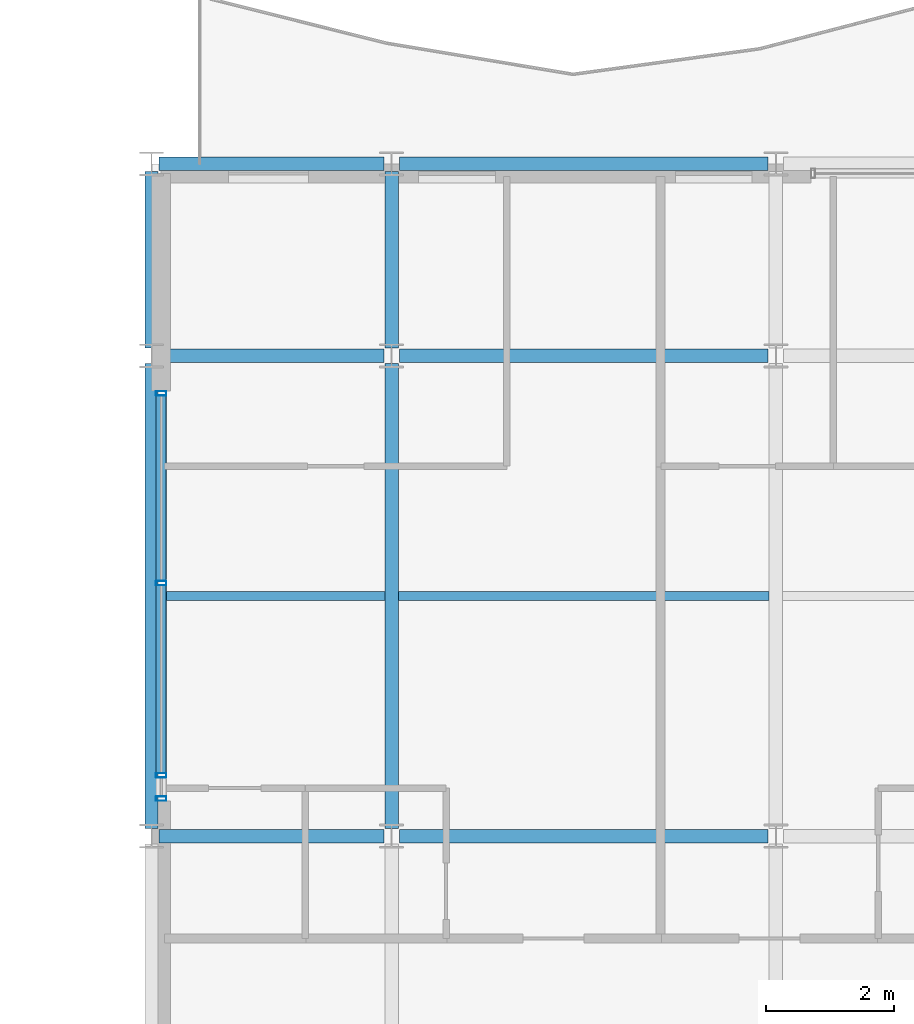
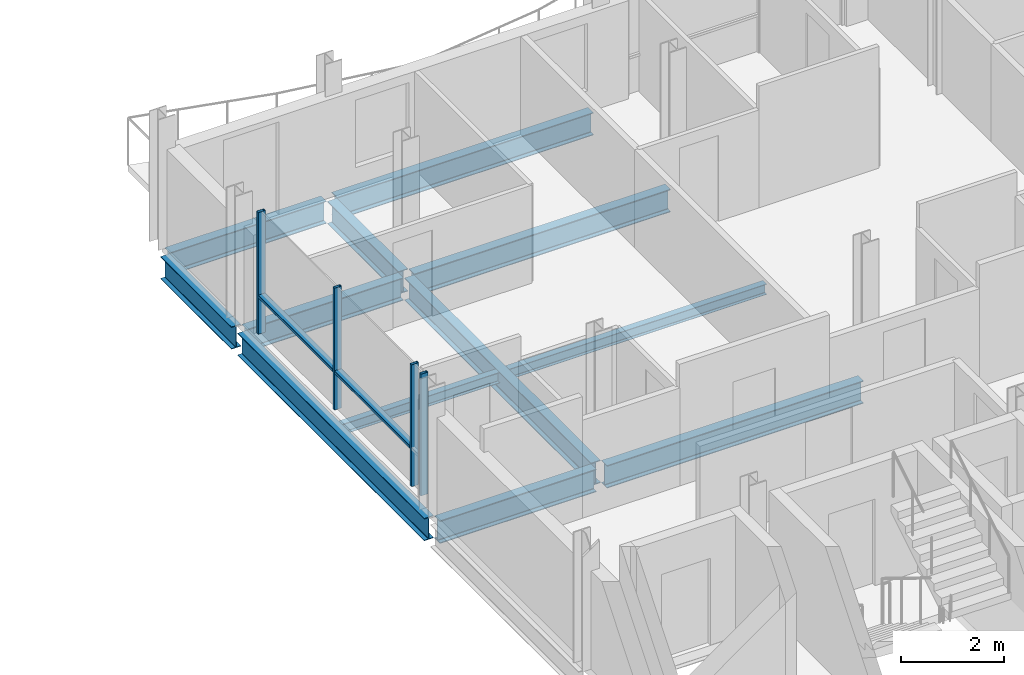
# One storey, part 12 of 30: 12 beams, 6 members, 1 element without a shape of its own.
"""IFC4 building model written with IfcOpenShell, lengths in metres."""

from ifc_helpers import new_model, si_unit, direction, frame, origin, origin_2d, place, context, subcontext, project, spatial, hollow_rectangle, i_section, extrude, material, layer, layer_set, material_profile, profile_set, type_object, element, aggregate, save


model = new_model("IFC4")

# Units and contexts
model_context = context("Model", 3, precision=1e-05, world=origin(), true_north=direction((0.0, 1.0)))
body_context = subcontext(model_context, "Body", "Model", "MODEL_VIEW")
ifc_project = project(units=[si_unit("LENGTHUNIT", "METRE"), si_unit("AREAUNIT", "SQUARE_METRE"), si_unit("VOLUMEUNIT", "CUBIC_METRE"), si_unit("PLANEANGLEUNIT", "RADIAN"), si_unit("MASSUNIT", "GRAM", prefix="KILO")], contexts=[model_context])

# Site, building, storey
site_placement = place(None, origin())
site = spatial("IfcSite", under=ifc_project, at=site_placement, CompositionType="ELEMENT")
building_placement = place(site_placement, origin())
building = spatial("IfcBuilding", under=site, at=building_placement, Name="Brevholm Reach", CompositionType="ELEMENT")
storey_placement = place(building_placement, frame((0.0, 0.0, 204.89990234375)))
storey = spatial("IfcBuildingStorey", under=building, at=storey_placement, Name="L62", CompositionType="ELEMENT", Elevation=204.89990234375)

# Beams
ifc_material_1 = material(Name="Structural Steel S355J2", Category="steel")
ifc_material_profile_1 = material_profile(ifc_material_1, i_section(OverallWidth=0.14599609375, OverallDepth=0.25146484375, WebThickness=0.006103515625, FlangeThickness=0.008544921875, FilletRadius=0.007568359375, at=origin_2d()), Name="UKB 254x146x31")
ifc_profile_set_1 = profile_set([ifc_material_profile_1], Name="Structural Steel S355J2")
beam_type_1 = type_object("IfcBeamType", Name="BM-B254", PredefinedType="BEAM", material=ifc_profile_set_1)
beam_1_placement = place(storey_placement, frame((38.354736328125, 19.75, -0.335693359375), z_axis=(1.0, 0.0, 0.0), x_axis=(0.0, 1.0, 0.0)))
element("IfcBeam", 1, at=beam_1_placement, inside=storey, type_object=beam_type_1, Name="L62 Composite Secondary Floor Beam", PredefinedType="BEAM", context=body_context, shape_type="SweptSolid", body=[
    extrude(i_section(OverallWidth=0.14599609375, OverallDepth=0.25146484375, WebThickness=0.006103515625, FlangeThickness=0.008544921875, FilletRadius=0.007568359375, at=origin_2d()), origin(), (0.0, 0.0, 1.0), 3.539794921875),
])
beam_2_placement = place(storey_placement, frame((42.10546875, 19.75, -0.335693359375), z_axis=(1.0, 0.0, 0.0), x_axis=(0.0, 1.0, 0.0)))
element("IfcBeam", 2, at=beam_2_placement, inside=storey, type_object=beam_type_1, Name="L62 Composite Secondary Floor Beam", PredefinedType="BEAM", context=body_context, shape_type="SweptSolid", body=[
    extrude(i_section(OverallWidth=0.14599609375, OverallDepth=0.25146484375, WebThickness=0.006103515625, FlangeThickness=0.008544921875, FilletRadius=0.007568359375, at=origin_2d()), origin(), (0.0, 0.0, 1.0), 5.7890625),
])
ifc_material_2 = material(Name="Structural Steel S355J2", Category="steel")
ifc_material_profile_2 = material_profile(ifc_material_2, i_section(OverallWidth=0.209228515625, OverallDepth=0.533203125, WebThickness=0.010009765625, FlangeThickness=0.015625, FilletRadius=0.0126953125, at=origin_2d()), Name="UKB 533x210x92")
ifc_profile_set_2 = profile_set([ifc_material_profile_2], Name="Structural Steel S355J2")
beam_type_2 = type_object("IfcBeamType", Name="BM-SP533", PredefinedType="SPANDREL", material=ifc_profile_set_2)
beam_3_placement = place(storey_placement, frame((38.3701171875, 26.5, -0.4765625), z_axis=(1.0, 0.0, 0.0), x_axis=(0.0, 1.0, 0.0)))
element("IfcBeam", 3, at=beam_3_placement, inside=storey, type_object=beam_type_2, Name="L62 SP-02 Framing Beam", PredefinedType="SPANDREL", context=body_context, shape_type="SweptSolid", body=[
    extrude(i_section(OverallWidth=0.209228515625, OverallDepth=0.533203125, WebThickness=0.010009765625, FlangeThickness=0.015625, FilletRadius=0.0126953125, at=origin_2d()), origin(), (0.0, 0.0, 1.0), 3.509765625),
])
beam_4_placement = place(storey_placement, frame((42.1201171875, 26.5, -0.4765625), z_axis=(1.0, 0.0, 0.0), x_axis=(0.0, 1.0, 0.0)))
element("IfcBeam", 4, at=beam_4_placement, inside=storey, type_object=beam_type_2, Name="L62 SP-02 Framing Beam", PredefinedType="SPANDREL", context=body_context, shape_type="SweptSolid", body=[
    extrude(i_section(OverallWidth=0.209228515625, OverallDepth=0.533203125, WebThickness=0.010009765625, FlangeThickness=0.015625, FilletRadius=0.0126953125, at=origin_2d()), origin(), (0.0, 0.0, 1.0), 5.759765625),
])
beam_5_placement = place(storey_placement, frame((38.25, 16.1201171875, -0.4765625), z_axis=(0.0, 1.0, 0.0), x_axis=(-1.0, 0.0, 0.0)))
element("IfcBeam", 5, at=beam_5_placement, inside=storey, type_object=beam_type_2, Name="L62 SP-02 Framing Beam", PredefinedType="SPANDREL", context=body_context, shape_type="SweptSolid", body=[
    extrude(i_section(OverallWidth=0.209228515625, OverallDepth=0.533203125, WebThickness=0.010009765625, FlangeThickness=0.015625, FilletRadius=0.0126953125, at=origin_2d()), origin(), (0.0, 0.0, 1.0), 7.259765625),
])
beam_6_placement = place(storey_placement, frame((38.25, 23.6201171875, -0.4765625), z_axis=(0.0, 1.0, 0.0), x_axis=(-1.0, 0.0, 0.0)))
element("IfcBeam", 6, at=beam_6_placement, inside=storey, type_object=beam_type_2, Name="L62 SP-02 Framing Beam", PredefinedType="SPANDREL", context=body_context, shape_type="SweptSolid", body=[
    extrude(i_section(OverallWidth=0.209228515625, OverallDepth=0.533203125, WebThickness=0.010009765625, FlangeThickness=0.015625, FilletRadius=0.0126953125, at=origin_2d()), origin(), (0.0, 0.0, 1.0), 2.759765625),
])
ifc_material_3 = material(Name="Structural Steel S355J2", Category="steel")
ifc_material_profile_3 = material_profile(ifc_material_3, i_section(OverallWidth=0.210693359375, OverallDepth=0.53955078125, WebThickness=0.01171875, FlangeThickness=0.018798828125, FilletRadius=0.0126953125, at=origin_2d()), Name="UKB 533x210x109")
ifc_profile_set_3 = profile_set([ifc_material_profile_3], Name="Structural Steel S355J2")
beam_type_3 = type_object("IfcBeamType", Name="BM-SP539", PredefinedType="SPANDREL", material=ifc_profile_set_3)
beam_7_placement = place(storey_placement, frame((38.3701171875, 16.0, -0.479736328125), z_axis=(1.0, 0.0, 0.0), x_axis=(0.0, 1.0, 0.0)))
element("IfcBeam", 7, at=beam_7_placement, inside=storey, type_object=beam_type_3, Name="L62 SP-01B Framing Beam", PredefinedType="SPANDREL", context=body_context, shape_type="SweptSolid", body=[
    extrude(i_section(OverallWidth=0.210693359375, OverallDepth=0.53955078125, WebThickness=0.01171875, FlangeThickness=0.018798828125, FilletRadius=0.0126953125, at=origin_2d()), origin(), (0.0, 0.0, 1.0), 3.509765625),
])
beam_8_placement = place(storey_placement, frame((42.1201171875, 16.0, -0.479736328125), z_axis=(1.0, 0.0, 0.0), x_axis=(0.0, 1.0, 0.0)))
element("IfcBeam", 8, at=beam_8_placement, inside=storey, type_object=beam_type_3, Name="L62 SP-01B Framing Beam", PredefinedType="SPANDREL", context=body_context, shape_type="SweptSolid", body=[
    extrude(i_section(OverallWidth=0.210693359375, OverallDepth=0.53955078125, WebThickness=0.01171875, FlangeThickness=0.018798828125, FilletRadius=0.0126953125, at=origin_2d()), origin(), (0.0, 0.0, 1.0), 5.759765625),
])
beam_9_placement = place(storey_placement, frame((38.3701171875, 23.5, -0.479736328125), z_axis=(1.0, 0.0, 0.0), x_axis=(0.0, 1.0, 0.0)))
element("IfcBeam", 9, at=beam_9_placement, inside=storey, type_object=beam_type_3, Name="L62 SP-01B Framing Beam", PredefinedType="SPANDREL", context=body_context, shape_type="SweptSolid", body=[
    extrude(i_section(OverallWidth=0.210693359375, OverallDepth=0.53955078125, WebThickness=0.01171875, FlangeThickness=0.018798828125, FilletRadius=0.0126953125, at=origin_2d()), origin(), (0.0, 0.0, 1.0), 3.509765625),
])
beam_10_placement = place(storey_placement, frame((42.1201171875, 23.5, -0.479736328125), z_axis=(1.0, 0.0, 0.0), x_axis=(0.0, 1.0, 0.0)))
element("IfcBeam", 10, at=beam_10_placement, inside=storey, type_object=beam_type_3, Name="L62 SP-01B Framing Beam", PredefinedType="SPANDREL", context=body_context, shape_type="SweptSolid", body=[
    extrude(i_section(OverallWidth=0.210693359375, OverallDepth=0.53955078125, WebThickness=0.01171875, FlangeThickness=0.018798828125, FilletRadius=0.0126953125, at=origin_2d()), origin(), (0.0, 0.0, 1.0), 5.759765625),
])
beam_11_placement = place(storey_placement, frame((42.0, 16.1201171875, -0.479736328125), z_axis=(0.0, 1.0, 0.0), x_axis=(-1.0, 0.0, 0.0)))
element("IfcBeam", 11, at=beam_11_placement, inside=storey, type_object=beam_type_3, Name="L62 SP-01B Framing Beam", PredefinedType="SPANDREL", context=body_context, shape_type="SweptSolid", body=[
    extrude(i_section(OverallWidth=0.210693359375, OverallDepth=0.53955078125, WebThickness=0.01171875, FlangeThickness=0.018798828125, FilletRadius=0.0126953125, at=origin_2d()), origin(), (0.0, 0.0, 1.0), 7.259765625),
])
beam_12_placement = place(storey_placement, frame((42.0, 23.6201171875, -0.479736328125), z_axis=(0.0, 1.0, 0.0), x_axis=(-1.0, 0.0, 0.0)))
element("IfcBeam", 12, at=beam_12_placement, inside=storey, type_object=beam_type_3, Name="L62 SP-01B Framing Beam", PredefinedType="SPANDREL", context=body_context, shape_type="SweptSolid", body=[
    extrude(i_section(OverallWidth=0.210693359375, OverallDepth=0.53955078125, WebThickness=0.01171875, FlangeThickness=0.018798828125, FilletRadius=0.0126953125, at=origin_2d()), origin(), (0.0, 0.0, 1.0), 2.759765625),
])

# Curtain wall, members
ifc_material_4 = material(Name="Dark Anodised Aluminium 6063-T6 and Solar-Control Glass", Category="aluminium")
ifc_layer = layer(ifc_material_4, 0.1650390625)
ifc_layer_set = layer_set([ifc_layer], Name="Dark Anodised Aluminium 6063-T6 and Solar-Control Glass")
curtain_wall_type = type_object("IfcCurtainWallType", Name="CW-04", PredefinedType="NOTDEFINED", material=ifc_layer_set)
curtain_wall_placement = place(storey_placement, origin())
curtain_wall = element("IfcCurtainWall", 13, at=curtain_wall_placement, inside=storey, type_object=curtain_wall_type, Name="L62 Curtain Wall CW-04", PredefinedType="NOTDEFINED")
ifc_material_5 = material(Name="Dark Anodised Aluminium 6063-T6", Category="aluminium")
ifc_material_profile_4 = material_profile(ifc_material_5, hollow_rectangle(XDim=0.070068359375, YDim=0.1650390625, WallThickness=0.0048828125, InnerFilletRadius=0.0048828125, OuterFilletRadius=0.010009765625, at=origin_2d()), Name="RHS 165x70x5")
ifc_profile_set_4 = profile_set([ifc_material_profile_4], Name="Dark Anodised Aluminium 6063-T6")
member_type_1 = type_object("IfcMemberType", Name="CWM-165", PredefinedType="MULLION", material=ifc_profile_set_4)
member_1_placement = place(storey_placement, frame((38.39990234375, 22.9150390625, 0.0), z_axis=(0.0, 0.0, 1.0), x_axis=(0.0, -1.0, 0.0)))
member_1 = element("IfcMember", 14, at=member_1_placement, type_object=member_type_1, Name="CM-165 Mullion 1", PredefinedType="MULLION", context=body_context, shape_type="SweptSolid", body=[
    extrude(hollow_rectangle(XDim=0.070068359375, YDim=0.1650390625, WallThickness=0.0048828125, InnerFilletRadius=0.0048828125, OuterFilletRadius=0.010009765625, at=origin_2d()), origin(), (0.0, 0.0, 1.0), 2.89013671875),
])
member_2_placement = place(storey_placement, frame((38.39990234375, 19.949951171875, 0.0), z_axis=(0.0, 0.0, 1.0), x_axis=(0.0, -1.0, 0.0)))
member_2 = element("IfcMember", 15, at=member_2_placement, type_object=member_type_1, Name="CM-165 Mullion 2", PredefinedType="MULLION", context=body_context, shape_type="SweptSolid", body=[
    extrude(hollow_rectangle(XDim=0.070068359375, YDim=0.1650390625, WallThickness=0.0048828125, InnerFilletRadius=0.0048828125, OuterFilletRadius=0.010009765625, at=origin_2d()), origin(), (0.0, 0.0, 1.0), 2.89013671875),
])
member_3_placement = place(storey_placement, frame((38.39990234375, 16.949951171875, 0.0), z_axis=(0.0, 0.0, 1.0), x_axis=(0.0, -1.0, 0.0)))
member_3 = element("IfcMember", 16, at=member_3_placement, type_object=member_type_1, Name="CM-165 Mullion 3", PredefinedType="MULLION", context=body_context, shape_type="SweptSolid", body=[
    extrude(hollow_rectangle(XDim=0.070068359375, YDim=0.1650390625, WallThickness=0.0048828125, InnerFilletRadius=0.0048828125, OuterFilletRadius=0.010009765625, at=origin_2d()), origin(), (0.0, 0.0, 1.0), 2.89013671875),
])
member_4_placement = place(storey_placement, frame((38.39990234375, 16.5849609375, 0.0), z_axis=(0.0, 0.0, 1.0), x_axis=(0.0, -1.0, 0.0)))
member_4 = element("IfcMember", 17, at=member_4_placement, type_object=member_type_1, Name="CM-165 Mullion 4", PredefinedType="MULLION", context=body_context, shape_type="SweptSolid", body=[
    extrude(hollow_rectangle(XDim=0.070068359375, YDim=0.1650390625, WallThickness=0.0048828125, InnerFilletRadius=0.0048828125, OuterFilletRadius=0.010009765625, at=origin_2d()), origin(), (0.0, 0.0, 1.0), 2.89013671875),
])
ifc_material_6 = material(Name="Dark Anodised Aluminium 6063-T6", Category="aluminium")
ifc_material_profile_5 = material_profile(ifc_material_6, hollow_rectangle(XDim=0.070068359375, YDim=0.1650390625, WallThickness=0.0048828125, InnerFilletRadius=0.0048828125, OuterFilletRadius=0.010009765625, at=origin_2d()), Name="RHS 165x70x5")
ifc_profile_set_5 = profile_set([ifc_material_profile_5], Name="Dark Anodised Aluminium 6063-T6")
member_type_2 = type_object("IfcMemberType", Name="CWT-165", PredefinedType="NOTDEFINED", material=ifc_profile_set_5)
member_5_placement = place(storey_placement, frame((38.39990234375, 22.8798828125, 0.900146484375), z_axis=(0.0, -1.0, 0.0), x_axis=(0.0, 0.0, 1.0)))
member_5 = element("IfcMember", 18, at=member_5_placement, type_object=member_type_2, Name="CT-165 Transom 1.1", ObjectType="TRANSOM", PredefinedType="USERDEFINED", context=body_context, shape_type="SweptSolid", body=[
    extrude(hollow_rectangle(XDim=0.070068359375, YDim=0.1650390625, WallThickness=0.0048828125, InnerFilletRadius=0.0048828125, OuterFilletRadius=0.010009765625, at=origin_2d()), origin(), (0.0, 0.0, 1.0), 2.894775390625),
])
member_6_placement = place(storey_placement, frame((38.39990234375, 19.9150390625, 0.900146484375), z_axis=(0.0, -1.0, 0.0), x_axis=(0.0, 0.0, 1.0)))
member_6 = element("IfcMember", 19, at=member_6_placement, type_object=member_type_2, Name="CT-165 Transom 2.1", ObjectType="TRANSOM", PredefinedType="USERDEFINED", context=body_context, shape_type="SweptSolid", body=[
    extrude(hollow_rectangle(XDim=0.070068359375, YDim=0.1650390625, WallThickness=0.0048828125, InnerFilletRadius=0.0048828125, OuterFilletRadius=0.010009765625, at=origin_2d()), origin(), (0.0, 0.0, 1.0), 2.929931640625),
])
aggregate(curtain_wall, [member_1, member_2, member_3, member_4, member_5, member_6])

save(model, "model.ifc")
